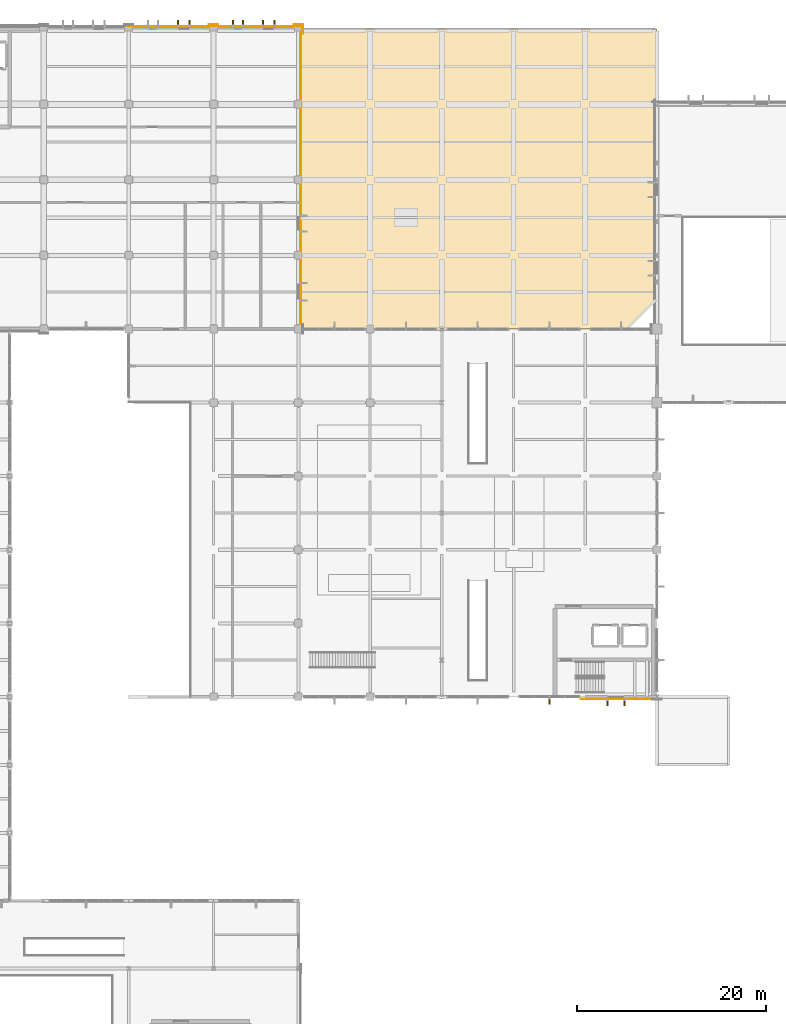
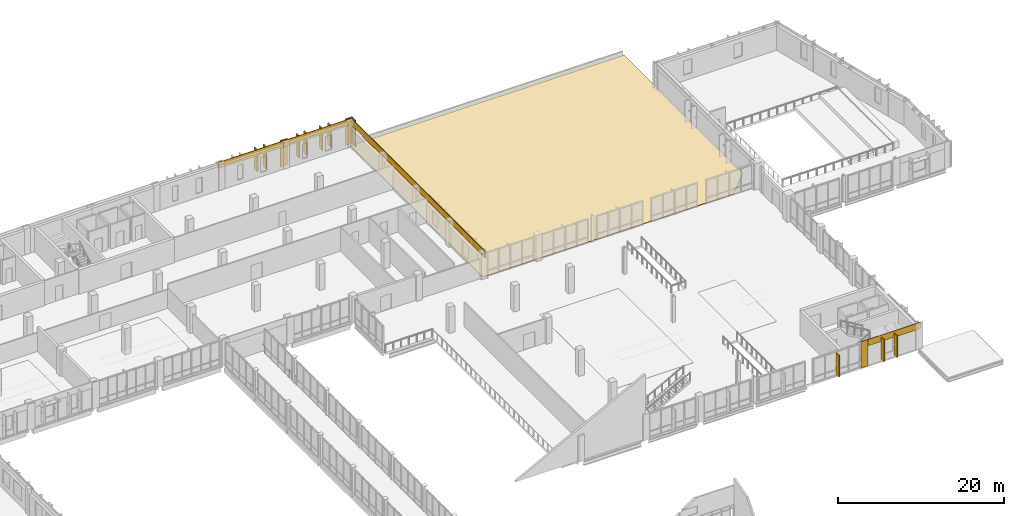
# One storey, part 83 of 85: 9 coverings, 9 shading devices.
"""IFC4 building model written with IfcOpenShell, lengths in metres."""

from ifc_helpers import new_model, si_unit, direction, frame, origin, origin_2d, place, context, subcontext, project, spatial, polyline, rectangle, outline, extrude, material, layer, layer_set, type_object, element, save


model = new_model("IFC4")

# Units and contexts
model_context = context("Model", 3, precision=1e-05, world=origin(), true_north=direction((0.0, 1.0)))
body_context = subcontext(model_context, "Body", "Model", "MODEL_VIEW")
ifc_project = project(units=[si_unit("LENGTHUNIT", "METRE"), si_unit("AREAUNIT", "SQUARE_METRE"), si_unit("VOLUMEUNIT", "CUBIC_METRE"), si_unit("PLANEANGLEUNIT", "RADIAN"), si_unit("MASSUNIT", "GRAM", prefix="KILO")], contexts=[model_context])

# Site, building, storey
site_placement = place(None, origin())
site = spatial("IfcSite", under=ifc_project, at=site_placement, CompositionType="ELEMENT")
building_placement = place(site_placement, origin())
building = spatial("IfcBuilding", under=site, at=building_placement, Name="Vervanel Yard Central Library", CompositionType="ELEMENT")
storey_placement = place(building_placement, frame((0.0, 0.0, 5.10009765625)))
storey = spatial("IfcBuildingStorey", under=building, at=storey_placement, Name="L01", CompositionType="ELEMENT", Elevation=5.10009765625)

# Coverings
ifc_material_1 = material(Name="Precast concrete C45/55", Category="concrete")
ifc_layer_1 = layer(ifc_material_1, 0.0849609375, Category="concrete")
ifc_layer_set_1 = layer_set([ifc_layer_1], Name="Precast concrete C45/55")
covering_type_1 = type_object("IfcCoveringType", Name="Bush-Hammered Precast Architectural Cladding Panel", PredefinedType="CLADDING", material=ifc_layer_set_1)
covering_1_placement = place(storey_placement, frame((94.5, 114.22998046875, 2.93017578125), z_axis=(0.0, 0.0, 1.0), x_axis=(1.0, 0.0, 0.0)))
element("IfcCovering", 1, at=covering_1_placement, inside=storey, type_object=covering_type_1, Name="L01 Precast Concrete Spandrel Cornice EWALL-L01-0025", PredefinedType="CLADDING", context=body_context, shape_type="SweptSolid", body=[
    extrude(rectangle(XDim=9.449951171875, YDim=0.0849609375, at=origin_2d()), origin(), (0.0, 0.0, 1.0), 0.929931640625),
])
covering_2_placement = place(storey_placement, frame((99.0, 114.467529296875, 0.0), z_axis=(0.0, 0.0, 1.0), x_axis=(1.0, 0.0, 0.0)))
element("IfcCovering", 2, at=covering_2_placement, inside=storey, type_object=covering_type_1, Name="L01 Precast Concrete Pier Pilaster EWALL-L01-0025-B", PredefinedType="CLADDING", context=body_context, shape_type="SweptSolid", body=[
    extrude(rectangle(XDim=0.97998046875, YDim=0.0849609375, at=origin_2d()), origin(), (0.0, 0.0, 1.0), 3.860107421875),
])
covering_3_placement = place(storey_placement, frame((103.5, 114.22998046875, 2.93017578125), z_axis=(0.0, 0.0, 1.0), x_axis=(1.0, 0.0, 0.0)))
element("IfcCovering", 3, at=covering_3_placement, inside=storey, type_object=covering_type_1, Name="L01 Precast Concrete Spandrel Cornice EWALL-L01-0026", PredefinedType="CLADDING", context=body_context, shape_type="SweptSolid", body=[
    extrude(rectangle(XDim=9.449951171875, YDim=0.0849609375, at=origin_2d()), origin(), (0.0, 0.0, 1.0), 0.929931640625),
])
covering_4_placement = place(storey_placement, frame((108.0, 114.467529296875, 0.0), z_axis=(0.0, 0.0, 1.0), x_axis=(1.0, 0.0, 0.0)))
element("IfcCovering", 4, at=covering_4_placement, inside=storey, type_object=covering_type_1, Name="L01 Precast Concrete Pier Pilaster EWALL-L01-0026-B", PredefinedType="CLADDING", context=body_context, shape_type="SweptSolid", body=[
    extrude(rectangle(XDim=0.97998046875, YDim=0.0849609375, at=origin_2d()), origin(), (0.0, 0.0, 1.0), 3.860107421875),
])
covering_5_placement = place(storey_placement, frame((108.25, 98.10009765625, 2.93017578125), z_axis=(0.0, 0.0, 1.0), x_axis=(0.0, 1.0, 0.0)))
element("IfcCovering", 5, at=covering_5_placement, inside=storey, type_object=covering_type_1, Name="L01 Precast Concrete Spandrel Cornice EWALL-L01-0031", PredefinedType="CLADDING", context=body_context, shape_type="SweptSolid", body=[
    extrude(rectangle(XDim=32.25, YDim=0.0849609375, at=origin_2d()), origin(), (0.0, 0.0, 1.0), 0.929931640625),
])
covering_6_placement = place(storey_placement, frame((108.467529296875, 114.0, 0.0), z_axis=(0.0, 0.0, 1.0), x_axis=(0.0, 1.0, 0.0)))
element("IfcCovering", 6, at=covering_6_placement, inside=storey, type_object=covering_type_1, Name="L01 Precast Concrete Pier Pilaster EWALL-L01-0031-B", PredefinedType="CLADDING", context=body_context, shape_type="SweptSolid", body=[
    extrude(rectangle(XDim=0.97998046875, YDim=0.0849609375, at=origin_2d()), origin(), (0.0, 0.0, 1.0), 3.860107421875),
])
covering_7_placement = place(storey_placement, frame((142.199951171875, 42.989990234375, 2.93017578125), z_axis=(0.0, 0.0, 1.0), x_axis=(1.0, 0.0, 0.0)))
element("IfcCovering", 7, at=covering_7_placement, inside=storey, type_object=covering_type_1, Name="L01 Precast Concrete Spandrel Cornice EWALL-L01-0163", PredefinedType="CLADDING", context=body_context, shape_type="SweptSolid", body=[
    extrude(rectangle(XDim=8.050048828125, YDim=0.0849609375, at=origin_2d()), origin(), (0.0, 0.0, 1.0), 0.929931640625),
])
covering_8_placement = place(storey_placement, frame((138.39990234375, 42.987548828125, 0.0), z_axis=(0.0, 0.0, 1.0), x_axis=(1.0, 0.0, 0.0)))
element("IfcCovering", 8, at=covering_8_placement, inside=storey, type_object=covering_type_1, Name="L01 Precast Concrete Pier Pilaster EWALL-L01-0163-A", PredefinedType="CLADDING", context=body_context, shape_type="SweptSolid", body=[
    extrude(rectangle(XDim=0.97998046875, YDim=0.0849609375, at=origin_2d()), origin(), (0.0, 0.0, 1.0), 3.860107421875),
])
ifc_material_2 = material(Name="Standing-seam dark zinc-coated metal roofing", Category="metal")
ifc_layer_2 = layer(ifc_material_2, 0.06494140625, Category="metal")
ifc_layer_set_2 = layer_set([ifc_layer_2], Name="Standing-seam dark zinc-coated metal roofing")
covering_type_2 = type_object("IfcCoveringType", Name="Standing-Seam Dark Zinc Roof Assembly", PredefinedType="ROOFING", material=ifc_layer_set_2)
covering_9_placement = place(storey_placement, origin())
element("IfcCovering", 9, at=covering_9_placement, inside=storey, type_object=covering_type_2, Name="L01 Roof Covering ROOF-L01-V1E", PredefinedType="ROOFING", context=body_context, shape_type="SweptSolid", body=[
    extrude(outline(polyline([(108.0, 82.199951171875), (142.800048828125, 82.199951171875), (146.0, 85.39990234375), (146.0, 114.0), (108.0, 114.0), (108.0, 82.199951171875)])), origin(), (0.0, 0.0, 1.0), 0.06494140625),
])

# Shading devices
shading_device_type = type_object("IfcShadingDeviceType", Name="Vertical Precast Solar Fin 160x720x3200", PredefinedType="JALOUSIE", material=ifc_material_1)
for number, where, z_axis, x_axis, name in (
    (10, (95.239990234375, 114.590087890625, 0.5498046875), (0.0, 0.0, 1.0), (1.0, 0.0, 0.0), "L01 Precast Solar Fin 65"),
    (11, (96.4599609375, 114.590087890625, 0.5498046875), (0.0, 0.0, 1.0), (1.0, 0.0, 0.0), "L01 Precast Solar Fin 66"),
    (12, (101.0400390625, 114.590087890625, 0.5498046875), (0.0, 0.0, 1.0), (1.0, 0.0, 0.0), "L01 Precast Solar Fin 67"),
    (13, (102.110107421875, 114.590087890625, 0.5498046875), (0.0, 0.0, 1.0), (1.0, 0.0, 0.0), "L01 Precast Solar Fin 68"),
    (14, (104.239990234375, 114.590087890625, 0.5498046875), (0.0, 0.0, 1.0), (1.0, 0.0, 0.0), "L01 Precast Solar Fin 69"),
    (15, (105.4599609375, 114.590087890625, 0.5498046875), (0.0, 0.0, 1.0), (1.0, 0.0, 0.0), "L01 Precast Solar Fin 70"),
    (16, (134.60009765625, 42.7900390625, 0.1650390625), (0.0, 0.0, 1.0), (1.0, 0.0, 0.0), "L01 Precast Solar Fin 452"),
    (17, (140.739990234375, 42.6298828125, 0.35009765625), (0.0, 0.0, 1.0), (1.0, 0.0, 0.0), "L01 Precast Solar Fin 453"),
    (18, (142.56005859375, 42.6298828125, 0.35009765625), (0.0, 0.0, 1.0), (1.0, 0.0, 0.0), "L01 Precast Solar Fin 454"),
):
    element("IfcShadingDevice", number, at=place(storey_placement, frame(where, z_axis=z_axis, x_axis=x_axis)), inside=storey, type_object=shading_device_type, Name=name, PredefinedType="JALOUSIE", context=body_context, shape_type="SweptSolid", body=[
        extrude(rectangle(XDim=0.159912109375, YDim=0.719970703125, at=origin_2d()), origin(), (0.0, 0.0, 1.0), 3.199951171875),
    ])

save(model, "model.ifc")
